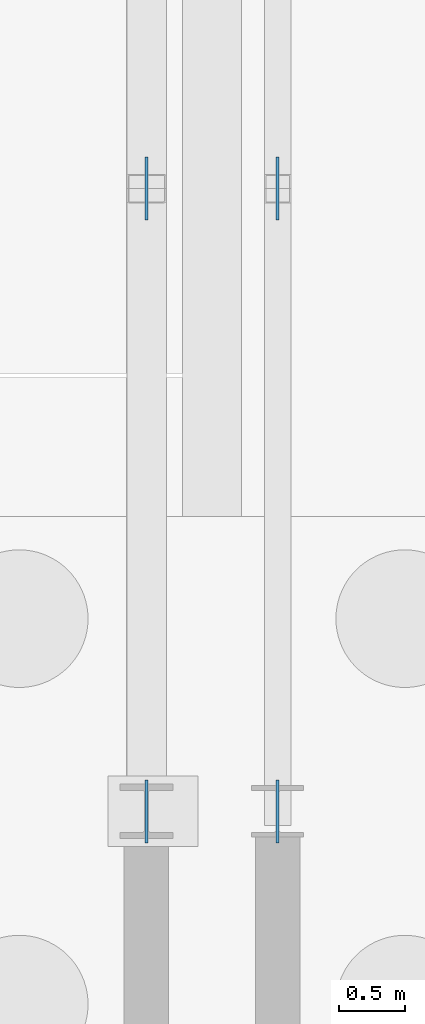
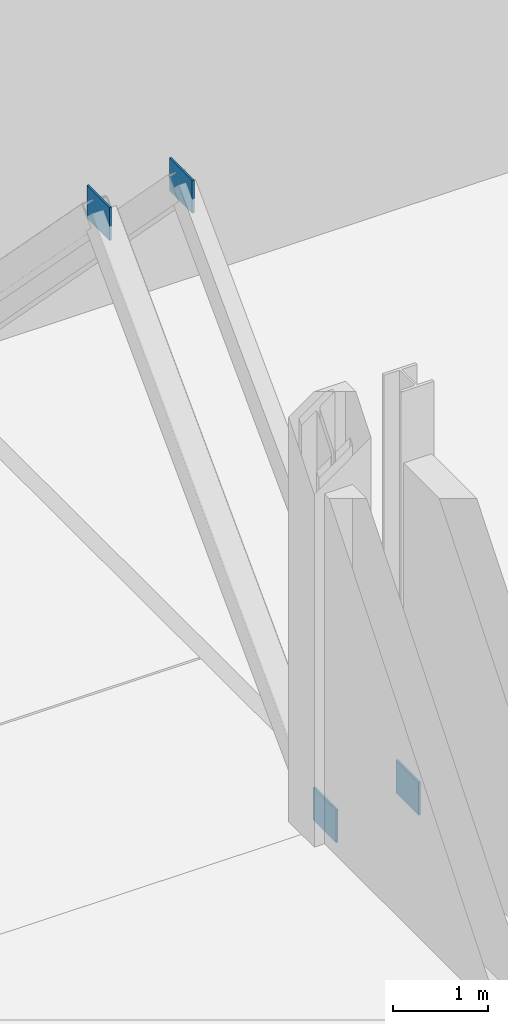
# One storey, part 40 of 83: 4 plates.
"""IFC4 building model written with IfcOpenShell, lengths in metres."""

import ifcopenshell
import ifcopenshell.guid

model = None  # the IFC model being written
_history = None  # IfcOwnerHistory: only IFC2X3 demands one
_inside = {}  # id of a spatial element -> (the spatial element, [elements in it])
_under = {}  # id of a project, library or spatial element -> (it, [spatial elements below it])
_declared = {}  # id of a project -> (the project, [libraries it declares])
_typed = {}  # id of a type object -> (the type object, [elements of that type])
_made_of = {}  # id of a material, layer set ... -> (it, [elements and type objects made of it])


def new_model(schema):
    """Start an empty IFC model of exactly this schema.

    Asked for "IFC4X3", IfcOpenShell would pick the latest addendum, in which some entities
    have other attributes; the version numbers below select the first issue.
    IFC2X3 requires an IfcOwnerHistory on every rooted entity: one is made here for all.
    """
    global model, _history
    if schema == "IFC4X3":
        model = ifcopenshell.file(schema_version=(4, 3, 0, 0))
    else:
        model = ifcopenshell.file(schema=schema)
    _inside.clear()
    _under.clear()
    _declared.clear()
    _typed.clear()
    _made_of.clear()
    _history = None
    if model.schema == "IFC2X3":
        org = make("IfcOrganization", Name="unknown")
        user = make(
            "IfcPersonAndOrganization",
            ThePerson=make("IfcPerson", FamilyName="unknown"),
            TheOrganization=org,
        )
        app = make(
            "IfcApplication",
            ApplicationDeveloper=org,
            Version="unknown",
            ApplicationFullName="unknown",
            ApplicationIdentifier="unknown",
        )
        _history = make(
            "IfcOwnerHistory",
            OwningUser=user,
            OwningApplication=app,
            ChangeAction="ADDED",
            CreationDate=0,
        )
    return model


def make(cls, **values):
    """One entity of the class cls with the attributes given. An attribute that is None is left unset."""
    return model.create_entity(
        cls, **{name: value for name, value in values.items() if value is not None}
    )


def rooted(cls, **values):
    """An entity with a GlobalId (a new one), such as an element, a storey or a relation."""
    return make(cls, GlobalId=ifcopenshell.guid.new(), OwnerHistory=_history, **values)


def si_unit(unit_type, name, prefix=None):
    """IfcSIUnit, for example si_unit("LENGTHUNIT", "METRE", prefix="MILLI")."""
    return make("IfcSIUnit", UnitType=unit_type, Prefix=prefix, Name=name)


def assignment(units):
    """IfcUnitAssignment: the units of a project."""
    return None if units is None else make("IfcUnitAssignment", Units=units)


def point(xyz):
    """IfcCartesianPoint."""
    return None if xyz is None else make("IfcCartesianPoint", Coordinates=xyz)


def direction(xyz):
    """IfcDirection."""
    return None if xyz is None else make("IfcDirection", DirectionRatios=xyz)


def frame(location, z_axis=None, x_axis=None):
    """IfcAxis2Placement3D, a coordinate frame: its origin and axes. An axis left out is left unset."""
    return make(
        "IfcAxis2Placement3D",
        Location=point(location),
        Axis=direction(z_axis),
        RefDirection=direction(x_axis),
    )


def frame_2d(location, x_axis=None):
    """IfcAxis2Placement2D, a coordinate frame in the plane: its origin and x axis."""
    return make(
        "IfcAxis2Placement2D", Location=point(location), RefDirection=direction(x_axis)
    )


def origin():
    """The frame at (0, 0, 0) with its axes left unset."""
    return frame((0.0, 0.0, 0.0))


def origin_2d():
    """The frame at (0, 0) in the plane with its x axis left unset."""
    return frame_2d((0.0, 0.0))


def place(relative_to, where):
    """IfcLocalPlacement: puts the frame where relative to a parent placement (None: the world)."""
    return make(
        "IfcLocalPlacement", PlacementRelTo=relative_to, RelativePlacement=where
    )


def context(
    kind, dimensions, precision=None, world=None, true_north=None, identifier=None
):
    """IfcGeometricRepresentationContext, for example the 3D "Model" context."""
    return make(
        "IfcGeometricRepresentationContext",
        ContextIdentifier=identifier,
        ContextType=kind,
        CoordinateSpaceDimension=dimensions,
        Precision=precision,
        WorldCoordinateSystem=world,
        TrueNorth=true_north,
    )


def subcontext(parent, identifier, kind, view, scale=None):
    """IfcGeometricRepresentationSubContext, for example "Body" below "Model"."""
    return make(
        "IfcGeometricRepresentationSubContext",
        ContextIdentifier=identifier,
        ContextType=kind,
        ParentContext=parent,
        TargetScale=scale,
        TargetView=view,
    )


def project(units=None, contexts=None):
    """IfcProject with its units and contexts."""
    return rooted(
        "IfcProject",
        Name="project",
        RepresentationContexts=contexts,
        UnitsInContext=assignment(units),
    )


def spatial(cls, under=None, at=None, **own):
    """A site, building, storey or space (cls), placed at a placement, below another one or the project."""
    s = rooted(cls, ObjectPlacement=at, **own)
    if under is not None:
        _under.setdefault(under.id(), (under, []))[1].append(s)
    return s


def profile(cls, at=None, kind="AREA", **sizes):
    """A parametric profile (cls). Its sizes go by their IFC names, for example OverallWidth=200.0."""
    return make(cls, ProfileType=kind, Position=at, **sizes)


def rectangle(**sizes):
    """IfcRectangleProfileDef."""
    return profile("IfcRectangleProfileDef", **sizes)


def extrude(swept, where, along, depth):
    """IfcExtrudedAreaSolid: the profile swept, set in the frame where, extruded along a direction by depth."""
    return make(
        "IfcExtrudedAreaSolid",
        SweptArea=swept,
        Position=where,
        ExtrudedDirection=direction(along),
        Depth=depth,
    )


def shape(context_of_items, identifier, shape_type, items):
    """IfcShapeRepresentation: the items that make up one representation, for example the "Body"."""
    return make(
        "IfcShapeRepresentation",
        ContextOfItems=context_of_items,
        RepresentationIdentifier=identifier,
        RepresentationType=shape_type,
        Items=items,
    )


def material(Name=None, Category=None):
    """IfcMaterial."""
    return make("IfcMaterial", Name=Name, Category=Category)


def layer(
    of_material, thickness, ventilated=None, Name=None, Category=None, Priority=None
):
    """IfcMaterialLayer: one layer of a wall or slab, of a material (None: an air gap)."""
    return make(
        "IfcMaterialLayer",
        Material=of_material,
        LayerThickness=thickness,
        IsVentilated=ventilated,
        Name=Name,
        Category=Category,
        Priority=Priority,
    )


def layer_set(layers, Name=None):
    """IfcMaterialLayerSet."""
    return make("IfcMaterialLayerSet", MaterialLayers=layers, LayerSetName=Name)


def made_of(thing, what):
    """Note that an element or type object is made of a material, layer set ...; save() writes the relation."""
    if what is not None:
        _made_of.setdefault(what.id(), (what, []))[1].append(thing)
    return thing


def type_object(cls, material=None, **own):
    """A type object (cls), such as IfcWallType, which elements share."""
    return made_of(rooted(cls, **own), material)


def element(
    cls,
    number,
    at=None,
    inside=None,
    cuts=None,
    type_object=None,
    material=None,
    context=None,
    identifier="Body",
    shape_type=None,
    held_by="IfcProductDefinitionShape",
    body=None,
    shapes=None,
    **own,
):
    """One element of the class cls, such as IfcWall. Its Tag is "e" and its number.

    at: its placement. inside: the storey or other place that contains it. cuts: it is an
    opening in that element (IfcRelVoidsElement). A single representation is given by context,
    identifier, shape_type and body (its items); several are given by shapes. held_by: the class
    of the entity that holds the representations. save() writes the other relations.
    """
    e = rooted(cls, Tag="e%d" % number, ObjectPlacement=at, **own)
    if body is not None:
        shapes = [shape(context, identifier, shape_type, body)]
    if shapes is not None:
        e.Representation = make(held_by, Representations=shapes)
    if inside is not None:
        _inside.setdefault(inside.id(), (inside, []))[1].append(e)
    if cuts is not None:
        rooted(
            "IfcRelVoidsElement", RelatingBuildingElement=cuts, RelatedOpeningElement=e
        )
    if type_object is not None:
        _typed.setdefault(type_object.id(), (type_object, []))[1].append(e)
    return made_of(e, material)


def aggregate(whole, parts):
    """IfcRelAggregates: a whole, such as a stair, and the parts it consists of."""
    return rooted("IfcRelAggregates", RelatingObject=whole, RelatedObjects=parts)


def save(model, path):
    """Write the relations noted so far, then the file.

    IfcRelAggregates (storeys below a building ...), IfcRelContainedInSpatialStructure (elements
    in a storey), IfcRelDefinesByType, IfcRelAssociatesMaterial and IfcRelDeclares: one each for
    every whole, place, type object, material and project.
    """
    for whole, parts in _under.values():
        aggregate(whole, parts)
    for where, things in _inside.values():
        rooted(
            "IfcRelContainedInSpatialStructure",
            RelatedElements=things,
            RelatingStructure=where,
        )
    for kind, things in _typed.values():
        rooted("IfcRelDefinesByType", RelatedObjects=things, RelatingType=kind)
    for what, things in _made_of.values():
        rooted("IfcRelAssociatesMaterial", RelatedObjects=things, RelatingMaterial=what)
    for by, libraries in _declared.values():
        rooted("IfcRelDeclares", RelatingContext=by, RelatedDefinitions=libraries)
    model.write(path)


model = new_model("IFC4")

# Units and contexts
model_context = context("Model", 3, precision=1e-05, world=origin(), true_north=direction((0.0, 1.0)))
body_context = subcontext(model_context, "Body", "Model", "MODEL_VIEW")
ifc_project = project(units=[si_unit("LENGTHUNIT", "METRE"), si_unit("AREAUNIT", "SQUARE_METRE"), si_unit("VOLUMEUNIT", "CUBIC_METRE"), si_unit("PLANEANGLEUNIT", "RADIAN"), si_unit("MASSUNIT", "GRAM", prefix="KILO")], contexts=[model_context])

# Site, building, storey
site_placement = place(None, origin())
site = spatial("IfcSite", under=ifc_project, at=site_placement, CompositionType="ELEMENT")
building_placement = place(site_placement, origin())
building = spatial("IfcBuilding", under=site, at=building_placement, Name="Caurita Quay Ferry Terminal", CompositionType="ELEMENT")
storey_placement = place(building_placement, origin())
storey = spatial("IfcBuildingStorey", under=building, at=storey_placement, Name="L00", CompositionType="ELEMENT", Elevation=0.0)

# Plates
ifc_material = material(Name="Structural plate steel ASTM A572 Gr. 50", Category="steel")
ifc_layer_1 = layer(ifc_material, 0.01806640625, Name="Structural steel connection plate 18 mm")
ifc_layer_set_1 = layer_set([ifc_layer_1], Name="Structural plate steel ASTM A572 Gr. 50")
plate_type_1 = type_object("IfcPlateType", Name="PLT-STL-18", PredefinedType="USERDEFINED", material=ifc_layer_set_1)
for number, where, z_axis, x_axis, name in (
    (1, (87.60009765625, 53.199951171875, -0.06005859375), (0.0, 0.0, 1.0), (0.0, 1.0, 0.0), "L00 Seismic Brace Gusset 02-BSL"),
    (2, (88.60009765625, 53.199951171875, -0.06005859375), (0.0, 0.0, 1.0), (0.0, 1.0, 0.0), "L00 Seismic Brace Gusset 03-BSL"),
):
    element("IfcPlate", number, at=place(storey_placement, frame(where, z_axis=z_axis, x_axis=x_axis)), inside=storey, type_object=plate_type_1, Name=name, ObjectType="GUSSET PLATE", PredefinedType="USERDEFINED", context=body_context, shape_type="SweptSolid", body=[
        extrude(rectangle(XDim=0.47998046875, YDim=0.02490234375, at=origin_2d()), origin(), (0.0, 0.0, 1.0), 0.419921875),
    ])
ifc_layer_2 = layer(ifc_material, 0.02490234375, Name="Structural steel connection plate 25 mm")
ifc_layer_set_2 = layer_set([ifc_layer_2], Name="Structural plate steel ASTM A572 Gr. 50")
plate_type_2 = type_object("IfcPlateType", Name="PLT-STL-25", PredefinedType="USERDEFINED", material=ifc_layer_set_2)
for number, where, z_axis, x_axis, name in (
    (3, (87.60009765625, 57.949951171875, 4.77001953125), (0.0, 0.0, 1.0), (0.0, 1.0, 0.0), "L00 Seismic Brace Gusset 02-APX"),
    (4, (88.60009765625, 57.949951171875, 4.77001953125), (0.0, 0.0, 1.0), (0.0, 1.0, 0.0), "L00 Seismic Brace Gusset 03-APX"),
):
    element("IfcPlate", number, at=place(storey_placement, frame(where, z_axis=z_axis, x_axis=x_axis)), inside=storey, type_object=plate_type_2, Name=name, ObjectType="GUSSET PLATE", PredefinedType="USERDEFINED", context=body_context, shape_type="SweptSolid", body=[
        extrude(rectangle(XDim=0.47998046875, YDim=0.02490234375, at=origin_2d()), origin(), (0.0, 0.0, 1.0), 0.419921875),
    ])

save(model, "model.ifc")
